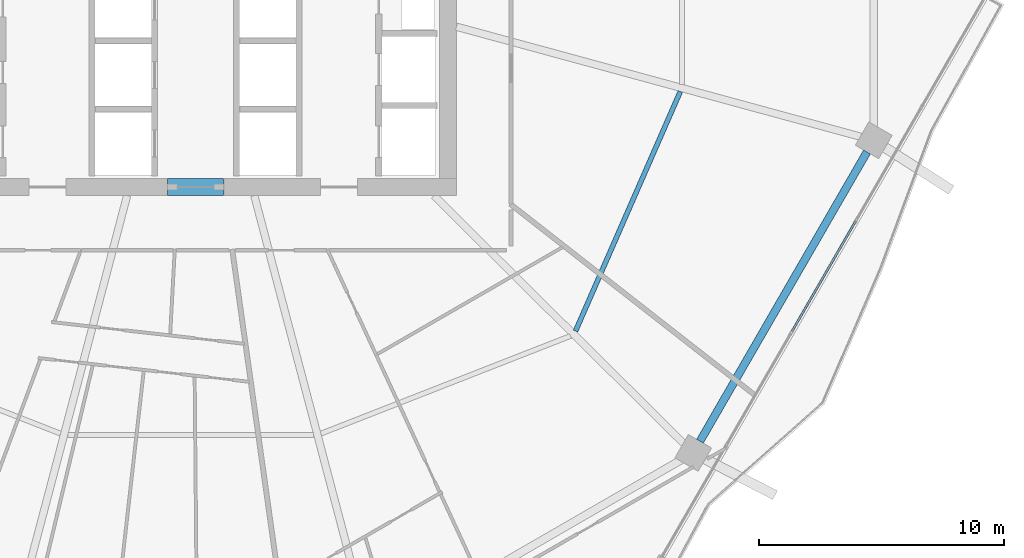
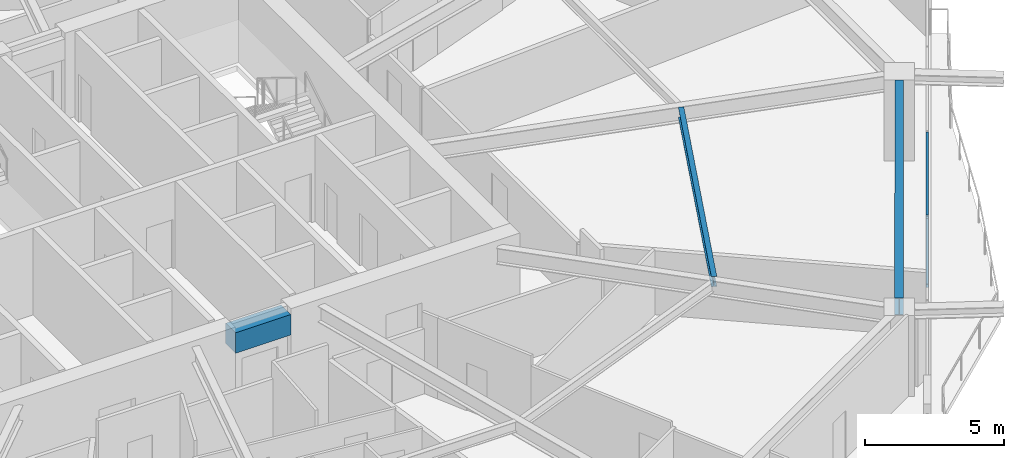
# One storey, part 10 of 33: 3 beams, 2 members, 1 element without a shape of its own.
"""IFC4 building model written with IfcOpenShell, lengths in metres."""

from ifc_helpers import new_model, si_unit, direction, frame, origin, origin_2d, place, context, subcontext, project, spatial, rectangle, hollow_rectangle, i_section, extrude, material, material_profile, profile_set, type_object, element, aggregate, save


model = new_model("IFC4")

# Units and contexts
model_context = context("Model", 3, precision=1e-05, world=origin(), true_north=direction((0.0, 1.0)))
body_context = subcontext(model_context, "Body", "Model", "MODEL_VIEW")
ifc_project = project(units=[si_unit("LENGTHUNIT", "METRE"), si_unit("AREAUNIT", "SQUARE_METRE"), si_unit("VOLUMEUNIT", "CUBIC_METRE"), si_unit("PLANEANGLEUNIT", "RADIAN"), si_unit("MASSUNIT", "GRAM", prefix="KILO")], contexts=[model_context])

# Site, building, storey
site_placement = place(None, origin())
site = spatial("IfcSite", under=ifc_project, at=site_placement, CompositionType="ELEMENT")
building_placement = place(site_placement, origin())
building = spatial("IfcBuilding", under=site, at=building_placement, Name="Zuhravey Tower", CompositionType="ELEMENT")
storey_placement = place(building_placement, frame((0.0, 0.0, 96.199951171875)))
storey = spatial("IfcBuildingStorey", under=building, at=storey_placement, Name="L23", CompositionType="ELEMENT", Elevation=96.199951171875)

# Beam
ifc_material_1 = material(Name="Concrete C60/75", Category="concrete")
ifc_material_profile_1 = material_profile(ifc_material_1, rectangle(XDim=0.699951171875, YDim=0.89990234375, at=origin_2d()), Name="RC-700x900")
ifc_profile_set_1 = profile_set([ifc_material_profile_1], Name="Concrete C60/75")
beam_type_1 = type_object("IfcBeamType", Name="Core Coupling Beam RC700x900", PredefinedType="LINTEL", material=ifc_profile_set_1)
beam_1_placement = place(storey_placement, frame((35.052001953125, 22.5, 3.10009765625), z_axis=(1.0, 0.0, 0.0), x_axis=(0.0, 1.0, 0.0)))
element("IfcBeam", 1, at=beam_1_placement, inside=storey, type_object=beam_type_1, Name="L23 CB1 BM-L23-CB-S", PredefinedType="LINTEL", context=body_context, shape_type="SweptSolid", body=[
    extrude(rectangle(XDim=0.699951171875, YDim=0.89990234375, at=origin_2d()), origin(), (0.0, 0.0, 1.0), 2.2958984375),
])

# Curtain wall, members
ifc_material_2 = material(Name="Thermally broken anodised aluminium", Category="aluminium")
curtain_wall_type = type_object("IfcCurtainWallType", Name="Zone 1-2 Residential Curtain Wall CW3", PredefinedType="NOTDEFINED", material=ifc_material_2)
curtain_wall_placement = place(storey_placement, origin())
curtain_wall = element("IfcCurtainWall", 2, at=curtain_wall_placement, inside=storey, type_object=curtain_wall_type, Name="L23 CW3 CW-L23-F6-1", PredefinedType="NOTDEFINED")
ifc_material_3 = material(Name="Anodised aluminium", Category="aluminium")
ifc_material_profile_2 = material_profile(ifc_material_3, hollow_rectangle(XDim=0.090087890625, YDim=0.14990234375, WallThickness=0.0048828125, at=origin_2d()), Name="ALU-RHS-90x150x5")
ifc_profile_set_2 = profile_set([ifc_material_profile_2], Name="Anodised aluminium")
member_type = type_object("IfcMemberType", Name="Curtain-Wall Transom 90x150", PredefinedType="USERDEFINED", material=ifc_profile_set_2)
member_1_placement = place(storey_placement, frame((63.1552734375, 21.1171875, 0.045166015625), z_axis=(-0.500009052715, -0.866020177134, 0.0), x_axis=(0.866020177134, -0.500009052715, 0.0)))
member_1 = element("IfcMember", 3, at=member_1_placement, type_object=member_type, Name="CW3 transom 3.1", ObjectType="TRANSOM", PredefinedType="USERDEFINED", context=body_context, shape_type="SweptSolid", body=[
    extrude(hollow_rectangle(XDim=0.090087890625, YDim=0.14990234375, WallThickness=0.0048828125, at=origin_2d()), origin(), (0.0, 0.0, 1.0), 5.2109375),
])
member_2_placement = place(storey_placement, frame((63.1552734375, 21.1171875, 3.0771484375), z_axis=(-0.500009052715, -0.866020177134, 0.0), x_axis=(0.866020177134, -0.500009052715, 0.0)))
member_2 = element("IfcMember", 4, at=member_2_placement, type_object=member_type, Name="CW3 transom 3.2", ObjectType="TRANSOM", PredefinedType="USERDEFINED", context=body_context, shape_type="SweptSolid", body=[
    extrude(hollow_rectangle(XDim=0.090087890625, YDim=0.14990234375, WallThickness=0.0048828125, at=origin_2d()), origin(), (0.0, 0.0, 1.0), 5.2109375),
])
aggregate(curtain_wall, [member_1, member_2])

# Beams
ifc_material_4 = material(Name="Steel SM355", Category="steel")
ifc_material_profile_3 = material_profile(ifc_material_4, i_section(OverallWidth=0.320068359375, OverallDepth=0.75, WebThickness=0.013916015625, FlangeThickness=0.02490234375, at=origin_2d()), Name="H-750x320x14x25")
ifc_profile_set_3 = profile_set([ifc_material_profile_3], Name="Steel SM355")
beam_type_2 = type_object("IfcBeamType", Name="Perimeter Ring Beam H750x320", PredefinedType="BEAM", material=ifc_profile_set_3)
beam_2_placement = place(storey_placement, frame((56.79541015625, 12.1220703125, 3.175048828125), z_axis=(0.500008177929, 0.866020682204, 0.0), x_axis=(-0.866020682204, 0.500008177929, 0.0)))
element("IfcBeam", 5, at=beam_2_placement, inside=storey, type_object=beam_type_2, Name="L23 PB1 BM-L23-PB-11", PredefinedType="BEAM", context=body_context, shape_type="SweptSolid", body=[
    extrude(i_section(OverallWidth=0.320068359375, OverallDepth=0.75, WebThickness=0.013916015625, FlangeThickness=0.02490234375, at=origin_2d()), origin(), (0.0, 0.0, 1.0), 13.634033203125),
])
ifc_material_profile_4 = material_profile(ifc_material_4, i_section(OverallWidth=0.199951171875, OverallDepth=0.449951171875, WebThickness=0.009033203125, FlangeThickness=0.013916015625, at=origin_2d()), Name="H-450x200x9x14")
ifc_profile_set_4 = profile_set([ifc_material_profile_4], Name="Steel SM355")
beam_type_3 = type_object("IfcBeamType", Name="Secondary Floor Joist H450x200", PredefinedType="JOIST", material=ifc_profile_set_4)
beam_3_placement = place(storey_placement, frame((51.71044921875, 16.615966796875, 3.324951171875), z_axis=(0.400786454617, 0.916171500209, 0.0), x_axis=(-0.916171500209, 0.400786454617, 0.0)))
element("IfcBeam", 6, at=beam_3_placement, inside=storey, type_object=beam_type_3, Name="L23 SJ1 BM-L23-SJ-11-1", PredefinedType="JOIST", context=body_context, shape_type="SweptSolid", body=[
    extrude(i_section(OverallWidth=0.199951171875, OverallDepth=0.449951171875, WebThickness=0.009033203125, FlangeThickness=0.013916015625, at=origin_2d()), origin(), (0.0, 0.0, 1.0), 10.6796875),
])

save(model, "model.ifc")
